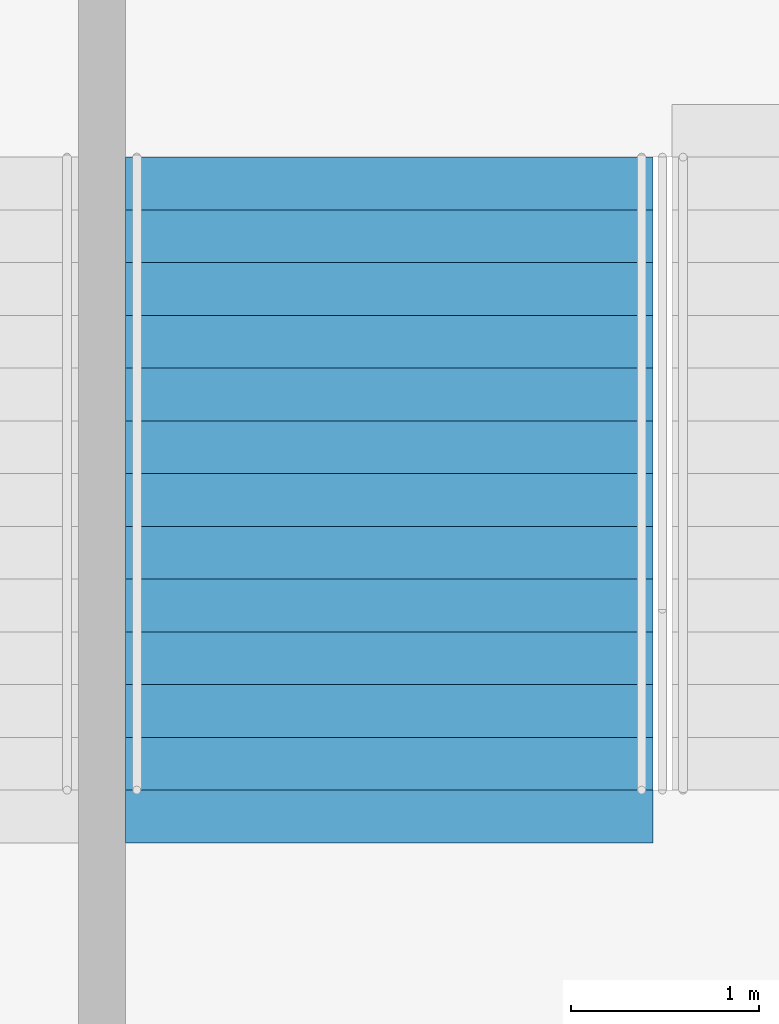
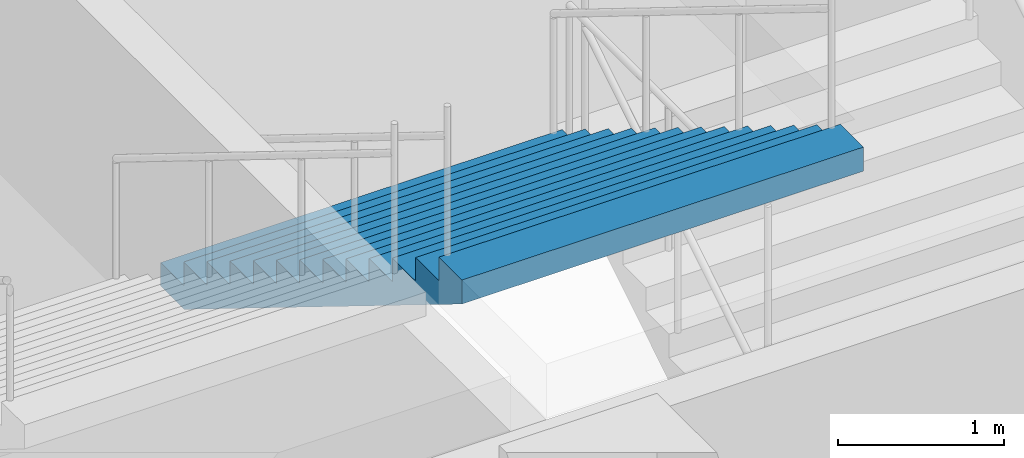
# One storey, part 217 of 249: 1 stair flight, 1 element without a shape of its own.
"""IFC4 building model written with IfcOpenShell, lengths in metres."""

from ifc_helpers import new_model, si_unit, direction, frame, origin, place, context, subcontext, project, spatial, faceted_brep, material, type_object, element, aggregate, save


model = new_model("IFC4")

# Units and contexts
model_context = context("Model", 3, precision=1e-05, world=origin(), true_north=direction((0.0, 1.0)))
body_context = subcontext(model_context, "Body", "Model", "MODEL_VIEW")
ifc_project = project(units=[si_unit("LENGTHUNIT", "METRE"), si_unit("AREAUNIT", "SQUARE_METRE"), si_unit("VOLUMEUNIT", "CUBIC_METRE"), si_unit("PLANEANGLEUNIT", "RADIAN"), si_unit("MASSUNIT", "GRAM", prefix="KILO")], contexts=[model_context])

# Site, building, storey
site_placement = place(None, origin())
site = spatial("IfcSite", under=ifc_project, at=site_placement, CompositionType="ELEMENT")
building_placement = place(site_placement, origin())
building = spatial("IfcBuilding", under=site, at=building_placement, Name="Ogive Plaza Stadium", CompositionType="ELEMENT")
storey_placement = place(building_placement, frame((0.0, 0.0, 13.5)))
storey = spatial("IfcBuildingStorey", under=building, at=storey_placement, Name="L03", CompositionType="ELEMENT", Elevation=13.5)

# Stair, stair flight
ifc_material_1 = material(Name="Concrete C40/50", Category="concrete")
stair_type = type_object("IfcStairType", Name="Exit stair", PredefinedType="STRAIGHT_RUN_STAIR", material=ifc_material_1)
stair_placement = place(storey_placement, origin())
stair = element("IfcStair", 1, at=stair_placement, inside=storey, type_object=stair_type, Name="Exit stair ST36A L03 to L04", PredefinedType="STRAIGHT_RUN_STAIR")
ifc_material_2 = material(Name="Concrete C40/50", Category="concrete")
stair_flight_type = type_object("IfcStairFlightType", Name="Exit stair flight", PredefinedType="STRAIGHT", material=ifc_material_2)
stair_flight_placement = place(storey_placement, frame((21.925048828125, 98.2099609375, 2.25), z_axis=(0.0, 0.0, 1.0), x_axis=(0.0, -1.0, 0.0)))
stair_flight = element("IfcStairFlight", 2, at=stair_flight_placement, type_object=stair_flight_type, Name="ST36A flight 2", NumberOfRisers=13, NumberOfTreads=12, PredefinedType="STRAIGHT", RiserHeight=0.173076923, TreadLength=0.28, context=body_context, shape_type="Brep", body=[
    faceted_brep([(0.28515625, -1.39990234375, 0.0), (3.639892578125, -1.39990234375, 2.07373046875), (3.639892578125, -1.39990234375, 2.25), (3.360107421875, -1.39990234375, 2.25), (3.360107421875, -1.39990234375, 2.076904296875), (3.080078125, -1.39990234375, 2.076904296875), (3.080078125, -1.39990234375, 1.90380859375), (2.800048828125, -1.39990234375, 1.90380859375), (2.800048828125, -1.39990234375, 1.730712890625), (2.52001953125, -1.39990234375, 1.730712890625), (2.52001953125, -1.39990234375, 1.5576171875), (2.239990234375, -1.39990234375, 1.5576171875), (2.239990234375, -1.39990234375, 1.384521484375), (1.9599609375, -1.39990234375, 1.384521484375), (1.9599609375, -1.39990234375, 1.21142578125), (1.679931640625, -1.39990234375, 1.21142578125), (1.679931640625, -1.39990234375, 1.03857421875), (1.39990234375, -1.39990234375, 1.03857421875), (1.39990234375, -1.39990234375, 0.865478515625), (1.1201171875, -1.39990234375, 0.865478515625), (1.1201171875, -1.39990234375, 0.6923828125), (0.840087890625, -1.39990234375, 0.6923828125), (0.840087890625, -1.39990234375, 0.519287109375), (0.56005859375, -1.39990234375, 0.519287109375), (0.56005859375, -1.39990234375, 0.34619140625), (0.280029296875, -1.39990234375, 0.34619140625), (0.280029296875, -1.39990234375, 0.173095703125), (0.0, -1.39990234375, 0.173095703125), (0.0, -1.39990234375, 0.0), (0.0, 1.39990234375, 0.0), (0.0, 1.39990234375, 0.173095703125), (0.280029296875, 1.39990234375, 0.173095703125), (0.280029296875, 1.39990234375, 0.34619140625), (0.56005859375, 1.39990234375, 0.34619140625), (0.56005859375, 1.39990234375, 0.519287109375), (0.840087890625, 1.39990234375, 0.519287109375), (0.840087890625, 1.39990234375, 0.6923828125), (1.1201171875, 1.39990234375, 0.6923828125), (1.1201171875, 1.39990234375, 0.865478515625), (1.39990234375, 1.39990234375, 0.865478515625), (1.39990234375, 1.39990234375, 1.03857421875), (1.679931640625, 1.39990234375, 1.03857421875), (1.679931640625, 1.39990234375, 1.21142578125), (1.9599609375, 1.39990234375, 1.21142578125), (1.9599609375, 1.39990234375, 1.384521484375), (2.239990234375, 1.39990234375, 1.384521484375), (2.239990234375, 1.39990234375, 1.5576171875), (2.52001953125, 1.39990234375, 1.5576171875), (2.52001953125, 1.39990234375, 1.730712890625), (2.800048828125, 1.39990234375, 1.730712890625), (2.800048828125, 1.39990234375, 1.90380859375), (3.080078125, 1.39990234375, 1.90380859375), (3.080078125, 1.39990234375, 2.076904296875), (3.360107421875, 1.39990234375, 2.076904296875), (3.360107421875, 1.39990234375, 2.25), (3.639892578125, 1.39990234375, 2.25), (3.639892578125, 1.39990234375, 2.07373046875), (0.28515625, 1.39990234375, 0.0), (0.28515625, -1.0888671875, 0.0), (3.639892578125, -1.0888671875, 2.07373046875), (0.28515625, -0.77783203125, 0.0), (3.639892578125, -0.77783203125, 2.07373046875), (0.28515625, -0.466796875, 0.0), (3.639892578125, -0.466796875, 2.07373046875), (0.28515625, -0.155517578125, 0.0), (3.639892578125, -0.155517578125, 2.07373046875), (0.28515625, 0.155517578125, 0.0), (3.639892578125, 0.155517578125, 2.07373046875), (0.28515625, 0.466796875, 0.0), (3.639892578125, 0.466796875, 2.07373046875), (0.28515625, 0.77783203125, 0.0), (3.639892578125, 0.77783203125, 2.07373046875), (0.28515625, 1.0888671875, 0.0), (3.639892578125, 1.0888671875, 2.07373046875), (3.639892578125, -1.0888671875, 2.25), (3.639892578125, -0.77783203125, 2.25), (3.639892578125, -0.466796875, 2.25), (3.639892578125, -0.155517578125, 2.25), (3.639892578125, 0.155517578125, 2.25), (3.639892578125, 0.466796875, 2.25), (3.639892578125, 0.77783203125, 2.25), (3.639892578125, 1.0888671875, 2.25), (3.360107421875, -1.0888671875, 2.25), (3.360107421875, -0.77783203125, 2.25), (3.360107421875, -0.466796875, 2.25), (3.360107421875, -0.155517578125, 2.25), (3.360107421875, 0.155517578125, 2.25), (3.360107421875, 0.466796875, 2.25), (3.360107421875, 0.77783203125, 2.25), (3.360107421875, 1.0888671875, 2.25), (3.360107421875, -1.0888671875, 2.076904296875), (3.360107421875, -0.77783203125, 2.076904296875), (3.360107421875, -0.466796875, 2.076904296875), (3.360107421875, -0.155517578125, 2.076904296875), (3.360107421875, 0.155517578125, 2.076904296875), (3.360107421875, 0.466796875, 2.076904296875), (3.360107421875, 0.77783203125, 2.076904296875), (3.360107421875, 1.0888671875, 2.076904296875), (3.080078125, -1.0888671875, 2.076904296875), (3.080078125, -0.77783203125, 2.076904296875), (3.080078125, -0.466796875, 2.076904296875), (3.080078125, -0.155517578125, 2.076904296875), (3.080078125, 0.155517578125, 2.076904296875), (3.080078125, 0.466796875, 2.076904296875), (3.080078125, 0.77783203125, 2.076904296875), (3.080078125, 1.0888671875, 2.076904296875), (3.080078125, -1.0888671875, 1.90380859375), (3.080078125, -0.77783203125, 1.90380859375), (3.080078125, -0.466796875, 1.90380859375), (3.080078125, -0.155517578125, 1.90380859375), (3.080078125, 0.155517578125, 1.90380859375), (3.080078125, 0.466796875, 1.90380859375), (3.080078125, 0.77783203125, 1.90380859375), (3.080078125, 1.0888671875, 1.90380859375), (2.800048828125, -1.0888671875, 1.90380859375), (2.800048828125, -0.77783203125, 1.90380859375), (2.800048828125, -0.466796875, 1.90380859375), (2.800048828125, -0.155517578125, 1.90380859375), (2.800048828125, 0.155517578125, 1.90380859375), (2.800048828125, 0.466796875, 1.90380859375), (2.800048828125, 0.77783203125, 1.90380859375), (2.800048828125, 1.0888671875, 1.90380859375), (2.800048828125, -1.0888671875, 1.730712890625), (2.800048828125, -0.77783203125, 1.730712890625), (2.800048828125, -0.466796875, 1.730712890625), (2.800048828125, -0.155517578125, 1.730712890625), (2.800048828125, 0.155517578125, 1.730712890625), (2.800048828125, 0.466796875, 1.730712890625), (2.800048828125, 0.77783203125, 1.730712890625), (2.800048828125, 1.0888671875, 1.730712890625), (2.52001953125, -1.0888671875, 1.730712890625), (2.52001953125, -0.77783203125, 1.730712890625), (2.52001953125, -0.466796875, 1.730712890625), (2.52001953125, -0.155517578125, 1.730712890625), (2.52001953125, 0.155517578125, 1.730712890625), (2.52001953125, 0.466796875, 1.730712890625), (2.52001953125, 0.77783203125, 1.730712890625), (2.52001953125, 1.0888671875, 1.730712890625), (2.52001953125, -1.0888671875, 1.5576171875), (2.52001953125, -0.77783203125, 1.5576171875), (2.52001953125, -0.466796875, 1.5576171875), (2.52001953125, -0.155517578125, 1.5576171875), (2.52001953125, 0.155517578125, 1.5576171875), (2.52001953125, 0.466796875, 1.5576171875), (2.52001953125, 0.77783203125, 1.5576171875), (2.52001953125, 1.0888671875, 1.5576171875), (2.239990234375, -1.0888671875, 1.5576171875), (2.239990234375, -0.77783203125, 1.5576171875), (2.239990234375, -0.466796875, 1.5576171875), (2.239990234375, -0.155517578125, 1.5576171875), (2.239990234375, 0.155517578125, 1.5576171875), (2.239990234375, 0.466796875, 1.5576171875), (2.239990234375, 0.77783203125, 1.5576171875), (2.239990234375, 1.0888671875, 1.5576171875), (2.239990234375, -1.0888671875, 1.384521484375), (2.239990234375, -0.77783203125, 1.384521484375), (2.239990234375, -0.466796875, 1.384521484375), (2.239990234375, -0.155517578125, 1.384521484375), (2.239990234375, 0.155517578125, 1.384521484375), (2.239990234375, 0.466796875, 1.384521484375), (2.239990234375, 0.77783203125, 1.384521484375), (2.239990234375, 1.0888671875, 1.384521484375), (1.9599609375, -1.0888671875, 1.384521484375), (1.9599609375, -0.77783203125, 1.384521484375), (1.9599609375, -0.466796875, 1.384521484375), (1.9599609375, -0.155517578125, 1.384521484375), (1.9599609375, 0.155517578125, 1.384521484375), (1.9599609375, 0.466796875, 1.384521484375), (1.9599609375, 0.77783203125, 1.384521484375), (1.9599609375, 1.0888671875, 1.384521484375), (1.9599609375, -1.0888671875, 1.21142578125), (1.9599609375, -0.77783203125, 1.21142578125), (1.9599609375, -0.466796875, 1.21142578125), (1.9599609375, -0.155517578125, 1.21142578125), (1.9599609375, 0.155517578125, 1.21142578125), (1.9599609375, 0.466796875, 1.21142578125), (1.9599609375, 0.77783203125, 1.21142578125), (1.9599609375, 1.0888671875, 1.21142578125), (1.679931640625, -1.0888671875, 1.21142578125), (1.679931640625, -0.77783203125, 1.21142578125), (1.679931640625, -0.466796875, 1.21142578125), (1.679931640625, -0.155517578125, 1.21142578125), (1.679931640625, 0.155517578125, 1.21142578125), (1.679931640625, 0.466796875, 1.21142578125), (1.679931640625, 0.77783203125, 1.21142578125), (1.679931640625, 1.0888671875, 1.21142578125), (1.679931640625, -1.0888671875, 1.03857421875), (1.679931640625, -0.77783203125, 1.03857421875), (1.679931640625, -0.466796875, 1.03857421875), (1.679931640625, -0.155517578125, 1.03857421875), (1.679931640625, 0.155517578125, 1.03857421875), (1.679931640625, 0.466796875, 1.03857421875), (1.679931640625, 0.77783203125, 1.03857421875), (1.679931640625, 1.0888671875, 1.03857421875), (1.39990234375, -1.0888671875, 1.03857421875), (1.39990234375, -0.77783203125, 1.03857421875), (1.39990234375, -0.466796875, 1.03857421875), (1.39990234375, -0.155517578125, 1.03857421875), (1.39990234375, 0.155517578125, 1.03857421875), (1.39990234375, 0.466796875, 1.03857421875), (1.39990234375, 0.77783203125, 1.03857421875), (1.39990234375, 1.0888671875, 1.03857421875), (1.39990234375, -1.0888671875, 0.865478515625), (1.39990234375, -0.77783203125, 0.865478515625), (1.39990234375, -0.466796875, 0.865478515625), (1.39990234375, -0.155517578125, 0.865478515625), (1.39990234375, 0.155517578125, 0.865478515625), (1.39990234375, 0.466796875, 0.865478515625), (1.39990234375, 0.77783203125, 0.865478515625), (1.39990234375, 1.0888671875, 0.865478515625), (1.1201171875, -1.0888671875, 0.865478515625), (1.1201171875, -0.77783203125, 0.865478515625), (1.1201171875, -0.466796875, 0.865478515625), (1.1201171875, -0.155517578125, 0.865478515625), (1.1201171875, 0.155517578125, 0.865478515625), (1.1201171875, 0.466796875, 0.865478515625), (1.1201171875, 0.77783203125, 0.865478515625), (1.1201171875, 1.0888671875, 0.865478515625), (1.1201171875, -1.0888671875, 0.6923828125), (1.1201171875, -0.77783203125, 0.6923828125), (1.1201171875, -0.466796875, 0.6923828125), (1.1201171875, -0.155517578125, 0.6923828125), (1.1201171875, 0.155517578125, 0.6923828125), (1.1201171875, 0.466796875, 0.6923828125), (1.1201171875, 0.77783203125, 0.6923828125), (1.1201171875, 1.0888671875, 0.6923828125), (0.840087890625, -1.0888671875, 0.6923828125), (0.840087890625, -0.77783203125, 0.6923828125), (0.840087890625, -0.466796875, 0.6923828125), (0.840087890625, -0.155517578125, 0.6923828125), (0.840087890625, 0.155517578125, 0.6923828125), (0.840087890625, 0.466796875, 0.6923828125), (0.840087890625, 0.77783203125, 0.6923828125), (0.840087890625, 1.0888671875, 0.6923828125), (0.840087890625, -1.0888671875, 0.519287109375), (0.840087890625, -0.77783203125, 0.519287109375), (0.840087890625, -0.466796875, 0.519287109375), (0.840087890625, -0.155517578125, 0.519287109375), (0.840087890625, 0.155517578125, 0.519287109375), (0.840087890625, 0.466796875, 0.519287109375), (0.840087890625, 0.77783203125, 0.519287109375), (0.840087890625, 1.0888671875, 0.519287109375), (0.56005859375, -1.0888671875, 0.519287109375), (0.56005859375, -0.77783203125, 0.519287109375), (0.56005859375, -0.466796875, 0.519287109375), (0.56005859375, -0.155517578125, 0.519287109375), (0.56005859375, 0.155517578125, 0.519287109375), (0.56005859375, 0.466796875, 0.519287109375), (0.56005859375, 0.77783203125, 0.519287109375), (0.56005859375, 1.0888671875, 0.519287109375), (0.56005859375, -1.0888671875, 0.34619140625), (0.56005859375, -0.77783203125, 0.34619140625), (0.56005859375, -0.466796875, 0.34619140625), (0.56005859375, -0.155517578125, 0.34619140625), (0.56005859375, 0.155517578125, 0.34619140625), (0.56005859375, 0.466796875, 0.34619140625), (0.56005859375, 0.77783203125, 0.34619140625), (0.56005859375, 1.0888671875, 0.34619140625), (0.280029296875, -1.0888671875, 0.34619140625), (0.280029296875, -0.77783203125, 0.34619140625), (0.280029296875, -0.466796875, 0.34619140625), (0.280029296875, -0.155517578125, 0.34619140625), (0.280029296875, 0.155517578125, 0.34619140625), (0.280029296875, 0.466796875, 0.34619140625), (0.280029296875, 0.77783203125, 0.34619140625), (0.280029296875, 1.0888671875, 0.34619140625), (0.280029296875, -1.0888671875, 0.173095703125), (0.280029296875, -0.77783203125, 0.173095703125), (0.280029296875, -0.466796875, 0.173095703125), (0.280029296875, -0.155517578125, 0.173095703125), (0.280029296875, 0.155517578125, 0.173095703125), (0.280029296875, 0.466796875, 0.173095703125), (0.280029296875, 0.77783203125, 0.173095703125), (0.280029296875, 1.0888671875, 0.173095703125), (0.0, -1.0888671875, 0.173095703125), (0.0, -0.77783203125, 0.173095703125), (0.0, -0.466796875, 0.173095703125), (0.0, -0.155517578125, 0.173095703125), (0.0, 0.155517578125, 0.173095703125), (0.0, 0.466796875, 0.173095703125), (0.0, 0.77783203125, 0.173095703125), (0.0, 1.0888671875, 0.173095703125), (0.0, -1.0888671875, 0.0), (0.0, -0.77783203125, 0.0), (0.0, -0.466796875, 0.0), (0.0, -0.155517578125, 0.0), (0.0, 0.155517578125, 0.0), (0.0, 0.466796875, 0.0), (0.0, 0.77783203125, 0.0), (0.0, 1.0888671875, 0.0)], [[[0, 1, 2, 3, 4, 5, 6, 7, 8, 9, 10, 11, 12, 13, 14, 15, 16, 17, 18, 19, 20, 21, 22, 23, 24, 25, 26, 27, 28]], [[29, 30, 31, 32, 33, 34, 35, 36, 37, 38, 39, 40, 41, 42, 43, 44, 45, 46, 47, 48, 49, 50, 51, 52, 53, 54, 55, 56, 57]], [[0, 58, 59, 1]], [[58, 60, 61, 59]], [[60, 62, 63, 61]], [[62, 64, 65, 63]], [[64, 66, 67, 65]], [[66, 68, 69, 67]], [[68, 70, 71, 69]], [[70, 72, 73, 71]], [[72, 57, 56, 73]], [[1, 59, 74, 2]], [[59, 61, 75, 74]], [[61, 63, 76, 75]], [[63, 65, 77, 76]], [[65, 67, 78, 77]], [[67, 69, 79, 78]], [[69, 71, 80, 79]], [[71, 73, 81, 80]], [[73, 56, 55, 81]], [[2, 74, 82, 3]], [[74, 75, 83, 82]], [[75, 76, 84, 83]], [[76, 77, 85, 84]], [[77, 78, 86, 85]], [[78, 79, 87, 86]], [[79, 80, 88, 87]], [[80, 81, 89, 88]], [[81, 55, 54, 89]], [[3, 82, 90, 4]], [[82, 83, 91, 90]], [[83, 84, 92, 91]], [[84, 85, 93, 92]], [[85, 86, 94, 93]], [[86, 87, 95, 94]], [[87, 88, 96, 95]], [[88, 89, 97, 96]], [[89, 54, 53, 97]], [[4, 90, 98, 5]], [[90, 91, 99, 98]], [[91, 92, 100, 99]], [[92, 93, 101, 100]], [[93, 94, 102, 101]], [[94, 95, 103, 102]], [[95, 96, 104, 103]], [[96, 97, 105, 104]], [[97, 53, 52, 105]], [[5, 98, 106, 6]], [[98, 99, 107, 106]], [[99, 100, 108, 107]], [[100, 101, 109, 108]], [[101, 102, 110, 109]], [[102, 103, 111, 110]], [[103, 104, 112, 111]], [[104, 105, 113, 112]], [[105, 52, 51, 113]], [[6, 106, 114, 7]], [[106, 107, 115, 114]], [[107, 108, 116, 115]], [[108, 109, 117, 116]], [[109, 110, 118, 117]], [[110, 111, 119, 118]], [[111, 112, 120, 119]], [[112, 113, 121, 120]], [[113, 51, 50, 121]], [[7, 114, 122, 8]], [[114, 115, 123, 122]], [[115, 116, 124, 123]], [[116, 117, 125, 124]], [[117, 118, 126, 125]], [[118, 119, 127, 126]], [[119, 120, 128, 127]], [[120, 121, 129, 128]], [[121, 50, 49, 129]], [[8, 122, 130, 9]], [[122, 123, 131, 130]], [[123, 124, 132, 131]], [[124, 125, 133, 132]], [[125, 126, 134, 133]], [[126, 127, 135, 134]], [[127, 128, 136, 135]], [[128, 129, 137, 136]], [[129, 49, 48, 137]], [[9, 130, 138, 10]], [[130, 131, 139, 138]], [[131, 132, 140, 139]], [[132, 133, 141, 140]], [[133, 134, 142, 141]], [[134, 135, 143, 142]], [[135, 136, 144, 143]], [[136, 137, 145, 144]], [[137, 48, 47, 145]], [[10, 138, 146, 11]], [[138, 139, 147, 146]], [[139, 140, 148, 147]], [[140, 141, 149, 148]], [[141, 142, 150, 149]], [[142, 143, 151, 150]], [[143, 144, 152, 151]], [[144, 145, 153, 152]], [[145, 47, 46, 153]], [[11, 146, 154, 12]], [[146, 147, 155, 154]], [[147, 148, 156, 155]], [[148, 149, 157, 156]], [[149, 150, 158, 157]], [[150, 151, 159, 158]], [[151, 152, 160, 159]], [[152, 153, 161, 160]], [[153, 46, 45, 161]], [[12, 154, 162, 13]], [[154, 155, 163, 162]], [[155, 156, 164, 163]], [[156, 157, 165, 164]], [[157, 158, 166, 165]], [[158, 159, 167, 166]], [[159, 160, 168, 167]], [[160, 161, 169, 168]], [[161, 45, 44, 169]], [[13, 162, 170, 14]], [[162, 163, 171, 170]], [[163, 164, 172, 171]], [[164, 165, 173, 172]], [[165, 166, 174, 173]], [[166, 167, 175, 174]], [[167, 168, 176, 175]], [[168, 169, 177, 176]], [[169, 44, 43, 177]], [[14, 170, 178, 15]], [[170, 171, 179, 178]], [[171, 172, 180, 179]], [[172, 173, 181, 180]], [[173, 174, 182, 181]], [[174, 175, 183, 182]], [[175, 176, 184, 183]], [[176, 177, 185, 184]], [[177, 43, 42, 185]], [[15, 178, 186, 16]], [[178, 179, 187, 186]], [[179, 180, 188, 187]], [[180, 181, 189, 188]], [[181, 182, 190, 189]], [[182, 183, 191, 190]], [[183, 184, 192, 191]], [[184, 185, 193, 192]], [[185, 42, 41, 193]], [[16, 186, 194, 17]], [[186, 187, 195, 194]], [[187, 188, 196, 195]], [[188, 189, 197, 196]], [[189, 190, 198, 197]], [[190, 191, 199, 198]], [[191, 192, 200, 199]], [[192, 193, 201, 200]], [[193, 41, 40, 201]], [[17, 194, 202, 18]], [[194, 195, 203, 202]], [[195, 196, 204, 203]], [[196, 197, 205, 204]], [[197, 198, 206, 205]], [[198, 199, 207, 206]], [[199, 200, 208, 207]], [[200, 201, 209, 208]], [[201, 40, 39, 209]], [[18, 202, 210, 19]], [[202, 203, 211, 210]], [[203, 204, 212, 211]], [[204, 205, 213, 212]], [[205, 206, 214, 213]], [[206, 207, 215, 214]], [[207, 208, 216, 215]], [[208, 209, 217, 216]], [[209, 39, 38, 217]], [[19, 210, 218, 20]], [[210, 211, 219, 218]], [[211, 212, 220, 219]], [[212, 213, 221, 220]], [[213, 214, 222, 221]], [[214, 215, 223, 222]], [[215, 216, 224, 223]], [[216, 217, 225, 224]], [[217, 38, 37, 225]], [[20, 218, 226, 21]], [[218, 219, 227, 226]], [[219, 220, 228, 227]], [[220, 221, 229, 228]], [[221, 222, 230, 229]], [[222, 223, 231, 230]], [[223, 224, 232, 231]], [[224, 225, 233, 232]], [[225, 37, 36, 233]], [[21, 226, 234, 22]], [[226, 227, 235, 234]], [[227, 228, 236, 235]], [[228, 229, 237, 236]], [[229, 230, 238, 237]], [[230, 231, 239, 238]], [[231, 232, 240, 239]], [[232, 233, 241, 240]], [[233, 36, 35, 241]], [[22, 234, 242, 23]], [[234, 235, 243, 242]], [[235, 236, 244, 243]], [[236, 237, 245, 244]], [[237, 238, 246, 245]], [[238, 239, 247, 246]], [[239, 240, 248, 247]], [[240, 241, 249, 248]], [[241, 35, 34, 249]], [[23, 242, 250, 24]], [[242, 243, 251, 250]], [[243, 244, 252, 251]], [[244, 245, 253, 252]], [[245, 246, 254, 253]], [[246, 247, 255, 254]], [[247, 248, 256, 255]], [[248, 249, 257, 256]], [[249, 34, 33, 257]], [[24, 250, 258, 25]], [[250, 251, 259, 258]], [[251, 252, 260, 259]], [[252, 253, 261, 260]], [[253, 254, 262, 261]], [[254, 255, 263, 262]], [[255, 256, 264, 263]], [[256, 257, 265, 264]], [[257, 33, 32, 265]], [[25, 258, 266, 26]], [[258, 259, 267, 266]], [[259, 260, 268, 267]], [[260, 261, 269, 268]], [[261, 262, 270, 269]], [[262, 263, 271, 270]], [[263, 264, 272, 271]], [[264, 265, 273, 272]], [[265, 32, 31, 273]], [[26, 266, 274, 27]], [[266, 267, 275, 274]], [[267, 268, 276, 275]], [[268, 269, 277, 276]], [[269, 270, 278, 277]], [[270, 271, 279, 278]], [[271, 272, 280, 279]], [[272, 273, 281, 280]], [[273, 31, 30, 281]], [[27, 274, 282, 28]], [[274, 275, 283, 282]], [[275, 276, 284, 283]], [[276, 277, 285, 284]], [[277, 278, 286, 285]], [[278, 279, 287, 286]], [[279, 280, 288, 287]], [[280, 281, 289, 288]], [[281, 30, 29, 289]], [[28, 282, 58, 0]], [[282, 283, 60, 58]], [[283, 284, 62, 60]], [[284, 285, 64, 62]], [[285, 286, 66, 64]], [[286, 287, 68, 66]], [[287, 288, 70, 68]], [[288, 289, 72, 70]], [[289, 29, 57, 72]]]),
])
aggregate(stair, [stair_flight])

save(model, "model.ifc")
